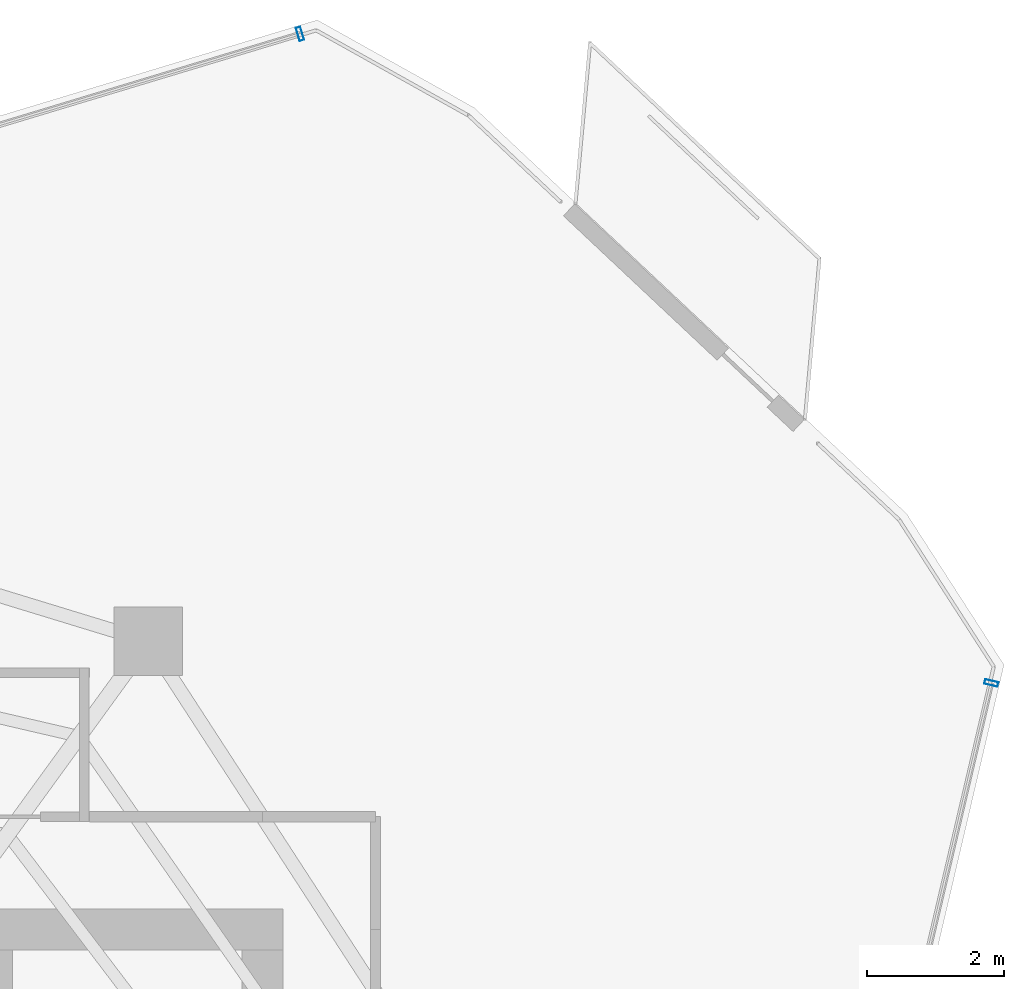
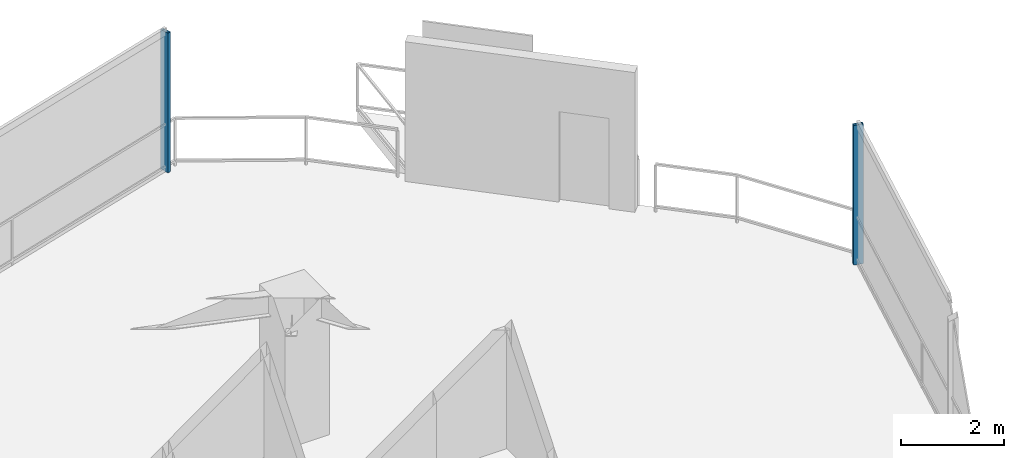
# One storey, part 14 of 19: 2 members, 2 elements without a shape of their own.
"""IFC4 building model written with IfcOpenShell, lengths in metres."""

from ifc_helpers import new_model, si_unit, direction, frame, origin, origin_2d, place, context, subcontext, project, spatial, hollow_rectangle, extrude, material, layer, layer_set, material_profile, profile_set, type_object, element, aggregate, save


model = new_model("IFC4")

# Units and contexts
model_context = context("Model", 3, precision=1e-05, world=origin(), true_north=direction((0.0, 1.0)))
body_context = subcontext(model_context, "Body", "Model", "MODEL_VIEW")
ifc_project = project(units=[si_unit("LENGTHUNIT", "METRE"), si_unit("AREAUNIT", "SQUARE_METRE"), si_unit("VOLUMEUNIT", "CUBIC_METRE"), si_unit("PLANEANGLEUNIT", "RADIAN"), si_unit("MASSUNIT", "GRAM", prefix="KILO")], contexts=[model_context])

# Site, building, storey
site_placement = place(None, origin())
site = spatial("IfcSite", under=ifc_project, at=site_placement, CompositionType="ELEMENT")
building_placement = place(site_placement, origin())
building = spatial("IfcBuilding", under=site, at=building_placement, Name="Qarnah Convention Tower", CompositionType="ELEMENT")
storey_placement = place(building_placement, frame((0.0, 0.0, 129.300048828125)))
storey = spatial("IfcBuildingStorey", under=building, at=storey_placement, Name="L34", CompositionType="ELEMENT", Elevation=129.300048828125)

# Curtain wall, member
ifc_material_1 = material(Name="Tempered Low-E dark glass", Category="glass")
ifc_layer = layer(ifc_material_1, 0.172119140625)
ifc_layer_set = layer_set([ifc_layer], Name="Tempered Low-E dark glass")
curtain_wall_type = type_object("IfcCurtainWallType", Name="CWS-03", PredefinedType="NOTDEFINED", material=ifc_layer_set)
curtain_wall_1_placement = place(storey_placement, origin())
curtain_wall_1 = element("IfcCurtainWall", 1, at=curtain_wall_1_placement, inside=storey, type_object=curtain_wall_type, Name="L34 unitised curtain wall CW-L34-F2", PredefinedType="NOTDEFINED")
ifc_material_2 = material(Name="Black anodised aluminium", Category="aluminium")
ifc_material_profile = material_profile(ifc_material_2, hollow_rectangle(XDim=0.070068359375, YDim=0.199951171875, WallThickness=0.0048828125, at=origin_2d()), Name="MUL-70X200")
ifc_profile_set = profile_set([ifc_material_profile], Name="Black anodised aluminium")
member_type = type_object("IfcMemberType", Name="MUL-T3", PredefinedType="MULLION", material=ifc_profile_set)
member_1_placement = place(storey_placement, frame((48.14697265625, 47.281982421875, 0.0), z_axis=(0.0, 0.0, 1.0), x_axis=(0.957321510287, 0.289025130295, 0.0)))
member_1 = element("IfcMember", 2, at=member_1_placement, type_object=member_type, Name="CW-L34-F2 mullion 6", PredefinedType="MULLION", context=body_context, shape_type="SweptSolid", body=[
    extrude(hollow_rectangle(XDim=0.070068359375, YDim=0.199951171875, WallThickness=0.0048828125, at=origin_2d()), origin(), (0.0, 0.0, 1.0), 3.320068359375),
])
aggregate(curtain_wall_1, [member_1])

curtain_wall_2_placement = place(storey_placement, origin())
curtain_wall_2 = element("IfcCurtainWall", 3, at=curtain_wall_2_placement, inside=storey, type_object=curtain_wall_type, Name="L34 unitised curtain wall CW-L34-F3", PredefinedType="NOTDEFINED")
member_2_placement = place(storey_placement, frame((58.242919921875, 37.802001953125, 0.0), z_axis=(0.0, 0.0, 1.0), x_axis=(-0.228344107227, -0.973580489069, 0.0)))
member_2 = element("IfcMember", 4, at=member_2_placement, type_object=member_type, Name="CW-L34-F3 mullion 1", PredefinedType="MULLION", context=body_context, shape_type="SweptSolid", body=[
    extrude(hollow_rectangle(XDim=0.070068359375, YDim=0.199951171875, WallThickness=0.0048828125, at=origin_2d()), origin(), (0.0, 0.0, 1.0), 3.320068359375),
])
aggregate(curtain_wall_2, [member_2])

save(model, "model.ifc")
